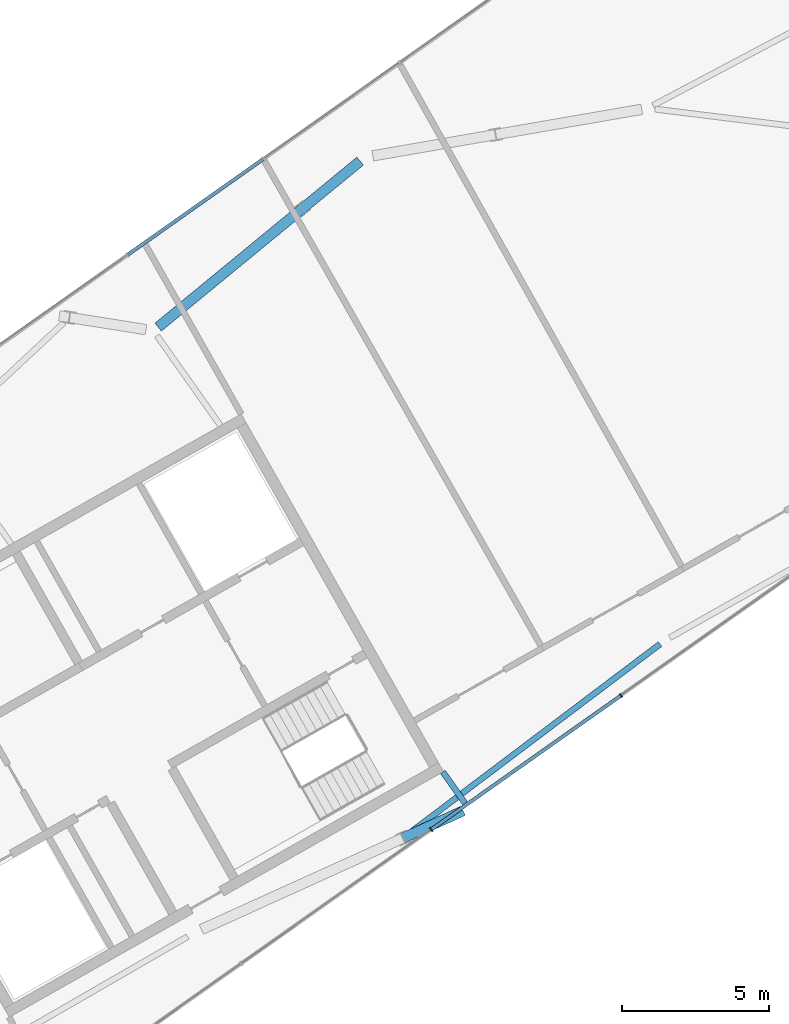
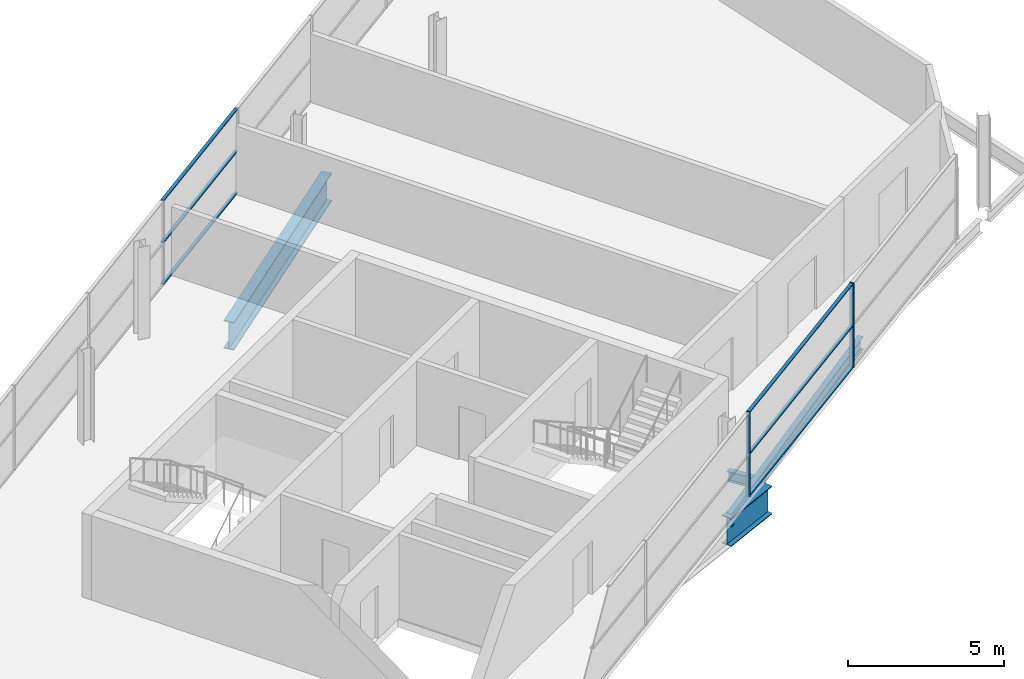
# One storey, part 6 of 11: 8 members, 4 beams, 2 elements without a shape of their own.
"""IFC4 building model written with IfcOpenShell, lengths in metres."""

from ifc_helpers import new_model, si_unit, direction, frame, origin, origin_2d, place, context, subcontext, project, spatial, rectangle, i_section, extrude, material, material_profile, profile_set, type_object, element, aggregate, save


model = new_model("IFC4")

# Units and contexts
model_context = context("Model", 3, precision=1e-05, world=origin(), true_north=direction((0.0, 1.0)))
body_context = subcontext(model_context, "Body", "Model", "MODEL_VIEW")
ifc_project = project(units=[si_unit("LENGTHUNIT", "METRE"), si_unit("AREAUNIT", "SQUARE_METRE"), si_unit("VOLUMEUNIT", "CUBIC_METRE"), si_unit("PLANEANGLEUNIT", "RADIAN"), si_unit("MASSUNIT", "GRAM", prefix="KILO")], contexts=[model_context])

# Site, building, storey
site_placement = place(None, origin())
site = spatial("IfcSite", under=ifc_project, at=site_placement, CompositionType="ELEMENT")
building_placement = place(site_placement, origin())
building = spatial("IfcBuilding", under=site, at=building_placement, Name="Binnacle Exchange Tower", CompositionType="ELEMENT")
storey_placement = place(building_placement, frame((0.0, 0.0, 361.300048828125)))
storey = spatial("IfcBuildingStorey", under=building, at=storey_placement, Name="L83", CompositionType="ELEMENT", Elevation=361.300048828125)

# Curtain wall, members
ifc_material_1 = material(Name="Bronze anodised aluminium frame", Category="aluminium")
curtain_wall_type = type_object("IfcCurtainWallType", Name="External wall - curtain wall crown top", PredefinedType="NOTDEFINED", material=ifc_material_1)
curtain_wall_1_placement = place(storey_placement, origin())
curtain_wall_1 = element("IfcCurtainWall", 1, at=curtain_wall_1_placement, inside=storey, type_object=curtain_wall_type, Name="External wall curtain wall CW6-C307 L83", PredefinedType="NOTDEFINED")
ifc_material_profile_1 = material_profile(ifc_material_1, rectangle(XDim=0.14990234375, YDim=0.050048828125, at=origin_2d()), Name="AL 50x150")
ifc_profile_set_1 = profile_set([ifc_material_profile_1], Name="Bronze anodised aluminium frame")
member_type_1 = type_object("IfcMemberType", Name="CW6 MULLION 50x150", PredefinedType="MULLION", material=ifc_profile_set_1)
member_1_placement = place(storey_placement, frame((-25.340087890625, 35.882568359375, 0.0), z_axis=(0.0, 0.0, 1.0), x_axis=(-0.576854127285, 0.816847180221, 0.0)))
member_1 = element("IfcMember", 2, at=member_1_placement, type_object=member_type_1, Name="CW6-C307 mullion 3", PredefinedType="MULLION", context=body_context, shape_type="SweptSolid", body=[
    extrude(rectangle(XDim=0.14990234375, YDim=0.050048828125, at=origin_2d()), origin(), (0.0, 0.0, 1.0), 3.300048828125),
])
member_2_placement = place(storey_placement, frame((-18.87109375, 40.450927734375, 0.0), z_axis=(0.0, 0.0, 1.0), x_axis=(-0.576854127285, 0.816847180221, 0.0)))
member_2 = element("IfcMember", 3, at=member_2_placement, type_object=member_type_1, Name="CW6-C307 mullion 4", PredefinedType="MULLION", context=body_context, shape_type="SweptSolid", body=[
    extrude(rectangle(XDim=0.14990234375, YDim=0.050048828125, at=origin_2d()), origin(), (0.0, 0.0, 1.0), 3.300048828125),
])

curtain_wall_2_placement = place(storey_placement, origin())
curtain_wall_2 = element("IfcCurtainWall", 4, at=curtain_wall_2_placement, inside=storey, type_object=curtain_wall_type, Name="External wall curtain wall CW6-C303 L83", PredefinedType="NOTDEFINED")
ifc_material_profile_2 = material_profile(ifc_material_1, rectangle(XDim=0.1201171875, YDim=0.0400390625, at=origin_2d()), Name="AL 120x40")
ifc_profile_set_2 = profile_set([ifc_material_profile_2], Name="Bronze anodised aluminium frame")
member_type_2 = type_object("IfcMemberType", Name="CW6 TRANSOM 40x120", PredefinedType="USERDEFINED", material=ifc_profile_set_2)
member_3_placement = place(storey_placement, frame((-31.0712890625, 58.723876953125, 0.02001953125), z_axis=(-0.816845257746, -0.576856849572, 0.0), x_axis=(0.576856849572, -0.816845257746, 0.0)))
member_3 = element("IfcMember", 5, at=member_3_placement, type_object=member_type_2, Name="CW6-C303 transom 4.1", ObjectType="TRANSOM", PredefinedType="USERDEFINED", context=body_context, shape_type="SweptSolid", body=[
    extrude(rectangle(XDim=0.1201171875, YDim=0.0400390625, at=origin_2d()), origin(), (0.0, 0.0, 1.0), 5.629638671875),
])
member_4_placement = place(storey_placement, frame((-31.0712890625, 58.723876953125, 1.64990234375), z_axis=(-0.816845257746, -0.576856849572, 0.0), x_axis=(0.576856849572, -0.816845257746, 0.0)))
member_4 = element("IfcMember", 6, at=member_4_placement, type_object=member_type_2, Name="CW6-C303 transom 4.2", ObjectType="TRANSOM", PredefinedType="USERDEFINED", context=body_context, shape_type="SweptSolid", body=[
    extrude(rectangle(XDim=0.1201171875, YDim=0.0400390625, at=origin_2d()), origin(), (0.0, 0.0, 1.0), 5.629638671875),
])
member_5_placement = place(storey_placement, frame((-31.0712890625, 58.723876953125, 3.280029296875), z_axis=(-0.816845257746, -0.576856849572, 0.0), x_axis=(0.576856849572, -0.816845257746, 0.0)))
member_5 = element("IfcMember", 7, at=member_5_placement, type_object=member_type_2, Name="CW6-C303 transom 4.3", ObjectType="TRANSOM", PredefinedType="USERDEFINED", context=body_context, shape_type="SweptSolid", body=[
    extrude(rectangle(XDim=0.1201171875, YDim=0.0400390625, at=origin_2d()), origin(), (0.0, 0.0, 1.0), 5.629638671875),
])
aggregate(curtain_wall_2, [member_3, member_4, member_5])

# Member
member_6_placement = place(storey_placement, frame((-25.319580078125, 35.89697265625, 0.02001953125), z_axis=(0.816838873446, 0.576865889812, 0.0), x_axis=(-0.576865889812, 0.816838873446, 0.0)))
member_6 = element("IfcMember", 8, at=member_6_placement, type_object=member_type_2, Name="CW6-C307 transom 3.1", ObjectType="TRANSOM", PredefinedType="USERDEFINED", context=body_context, shape_type="SweptSolid", body=[
    extrude(rectangle(XDim=0.1201171875, YDim=0.0400390625, at=origin_2d()), origin(), (0.0, 0.0, 1.0), 7.869384765625),
])

member_7_placement = place(storey_placement, frame((-25.319580078125, 35.89697265625, 1.64990234375), z_axis=(0.816838873446, 0.576865889812, 0.0), x_axis=(-0.576865889812, 0.816838873446, 0.0)))
member_7 = element("IfcMember", 9, at=member_7_placement, type_object=member_type_2, Name="CW6-C307 transom 3.2", ObjectType="TRANSOM", PredefinedType="USERDEFINED", context=body_context, shape_type="SweptSolid", body=[
    extrude(rectangle(XDim=0.1201171875, YDim=0.0400390625, at=origin_2d()), origin(), (0.0, 0.0, 1.0), 7.869384765625),
])

member_8_placement = place(storey_placement, frame((-25.319580078125, 35.89697265625, 3.280029296875), z_axis=(0.816838873446, 0.576865889812, 0.0), x_axis=(-0.576865889812, 0.816838873446, 0.0)))
member_8 = element("IfcMember", 10, at=member_8_placement, type_object=member_type_2, Name="CW6-C307 transom 3.3", ObjectType="TRANSOM", PredefinedType="USERDEFINED", context=body_context, shape_type="SweptSolid", body=[
    extrude(rectangle(XDim=0.1201171875, YDim=0.0400390625, at=origin_2d()), origin(), (0.0, 0.0, 1.0), 7.869384765625),
])

aggregate(curtain_wall_1, [member_1, member_2, member_6, member_7, member_8])

# Beams
ifc_material_2 = material(Name="Steel S355 (SHN355)", Category="steel")
ifc_material_profile_3 = material_profile(ifc_material_2, i_section(OverallWidth=0.199951171875, OverallDepth=0.39990234375, WebThickness=0.008056640625, FlangeThickness=0.012939453125, FilletRadius=0.01611328125, at=origin_2d()), Name="H 400x200x8x13")
ifc_profile_set_3 = profile_set([ifc_material_profile_3], Name="Steel S355 (SHN355)")
beam_type_1 = type_object("IfcBeamType", Name="Floor beam H 400x200x8x13 Steel S355 (SHN355)", PredefinedType="BEAM", material=ifc_profile_set_3)
beam_1_placement = place(storey_placement, frame((-24.185546875, 36.77880859375, -0.5), z_axis=(-0.57690307743, 0.81681260963, 0.0), x_axis=(-0.81681260963, -0.57690307743, 0.0)))
element("IfcBeam", 11, at=beam_1_placement, inside=storey, type_object=beam_type_1, Name="S:BM:cross:L83:024", PredefinedType="BEAM", context=body_context, shape_type="SweptSolid", body=[
    extrude(i_section(OverallWidth=0.199951171875, OverallDepth=0.39990234375, WebThickness=0.008056640625, FlangeThickness=0.012939453125, FilletRadius=0.01611328125, at=origin_2d()), origin(), (0.0, 0.0, 1.0), 1.3076171875),
])
ifc_material_profile_4 = material_profile(ifc_material_2, i_section(OverallWidth=0.200927734375, OverallDepth=0.506103515625, WebThickness=0.010986328125, FlangeThickness=0.01904296875, FilletRadius=0.02001953125, at=origin_2d()), Name="H 506x201x11x19")
ifc_profile_set_4 = profile_set([ifc_material_profile_4], Name="Steel S355 (SHN355)")
beam_type_2 = type_object("IfcBeamType", Name="Floor beam H 506x201x11x19 Steel S355 (SHN355)", PredefinedType="BEAM", material=ifc_profile_set_4)
beam_2_placement = place(storey_placement, frame((-17.5419921875, 42.203369140625, -0.552978515625), z_axis=(-0.79826706719, -0.602303652189, 0.0), x_axis=(0.602303652189, -0.79826706719, 0.0)))
element("IfcBeam", 12, at=beam_2_placement, inside=storey, type_object=beam_type_2, Name="S:BM:cross:L83:025", PredefinedType="BEAM", context=body_context, shape_type="SweptSolid", body=[
    extrude(i_section(OverallWidth=0.200927734375, OverallDepth=0.506103515625, WebThickness=0.010986328125, FlangeThickness=0.01904296875, FilletRadius=0.02001953125, at=origin_2d()), origin(), (0.0, 0.0, 1.0), 10.77294921875),
])
ifc_material_3 = material(Name="Steel S355 (SM355)", Category="steel")
ifc_material_profile_5 = material_profile(ifc_material_3, i_section(OverallWidth=0.35009765625, OverallDepth=1.10009765625, WebThickness=0.02001953125, FlangeThickness=0.035888671875, at=origin_2d()), Name="BH 1100x350x20x36")
ifc_profile_set_5 = profile_set([ifc_material_profile_5], Name="Steel S355 (SM355)")
beam_type_3 = type_object("IfcBeamType", Name="Transfer girder BH 1100x350x20x36 Steel S355 (SM355)", PredefinedType="BEAM", material=ifc_profile_set_5)
beam_3_placement = place(storey_placement, frame((-27.759521484375, 58.66015625, -0.85009765625), z_axis=(-0.772563492053, -0.634937517199, 0.0), x_axis=(0.634937517199, -0.772563492053, 0.0)))
element("IfcBeam", 13, at=beam_3_placement, inside=storey, type_object=beam_type_3, Name="S:BM:transfer:L83:004", PredefinedType="BEAM", context=body_context, shape_type="SweptSolid", body=[
    extrude(i_section(OverallWidth=0.35009765625, OverallDepth=1.10009765625, WebThickness=0.02001953125, FlangeThickness=0.035888671875, at=origin_2d()), origin(), (0.0, 0.0, 1.0), 8.90869140625),
])
beam_4_placement = place(storey_placement, frame((-26.30517578125, 35.59130859375, -0.85009765625), z_axis=(0.910691919497, 0.413086223157, 0.0), x_axis=(-0.413086223157, 0.910691919497, 0.0)))
element("IfcBeam", 14, at=beam_4_placement, inside=storey, type_object=beam_type_3, Name="S:BM:transfer:L83:006", PredefinedType="BEAM", context=body_context, shape_type="SweptSolid", body=[
    extrude(i_section(OverallWidth=0.35009765625, OverallDepth=1.10009765625, WebThickness=0.02001953125, FlangeThickness=0.035888671875, at=origin_2d()), origin(), (0.0, 0.0, 1.0), 2.2587890625),
])

save(model, "model.ifc")
